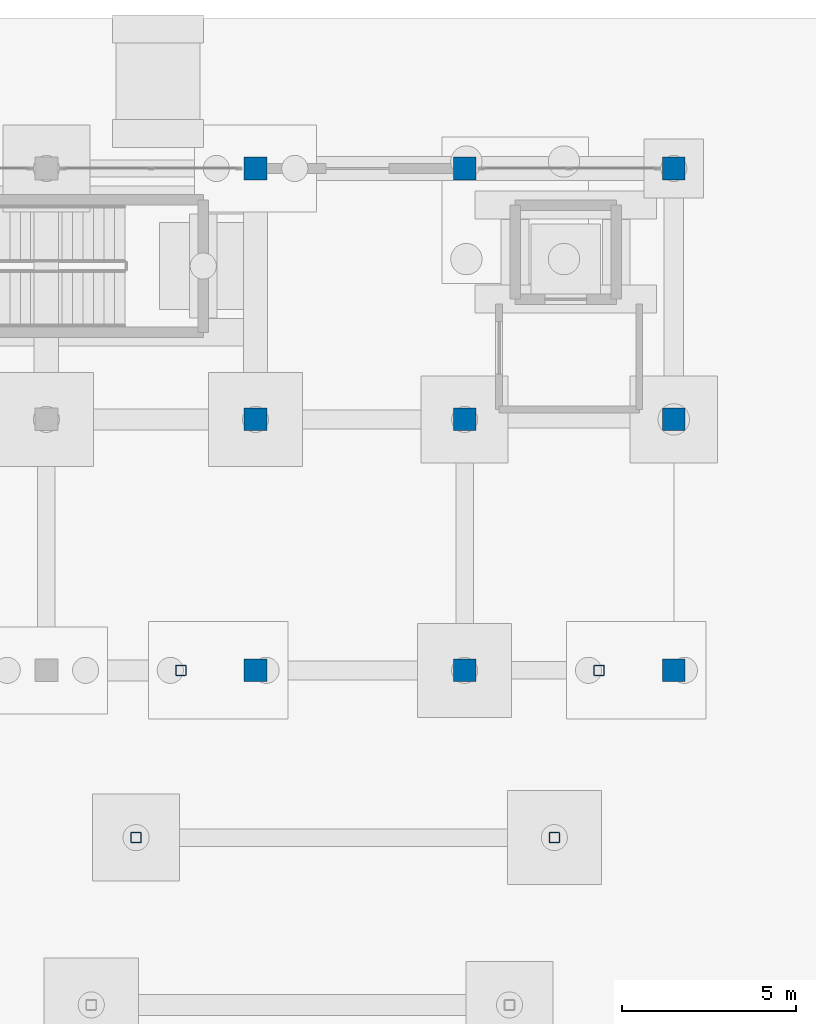
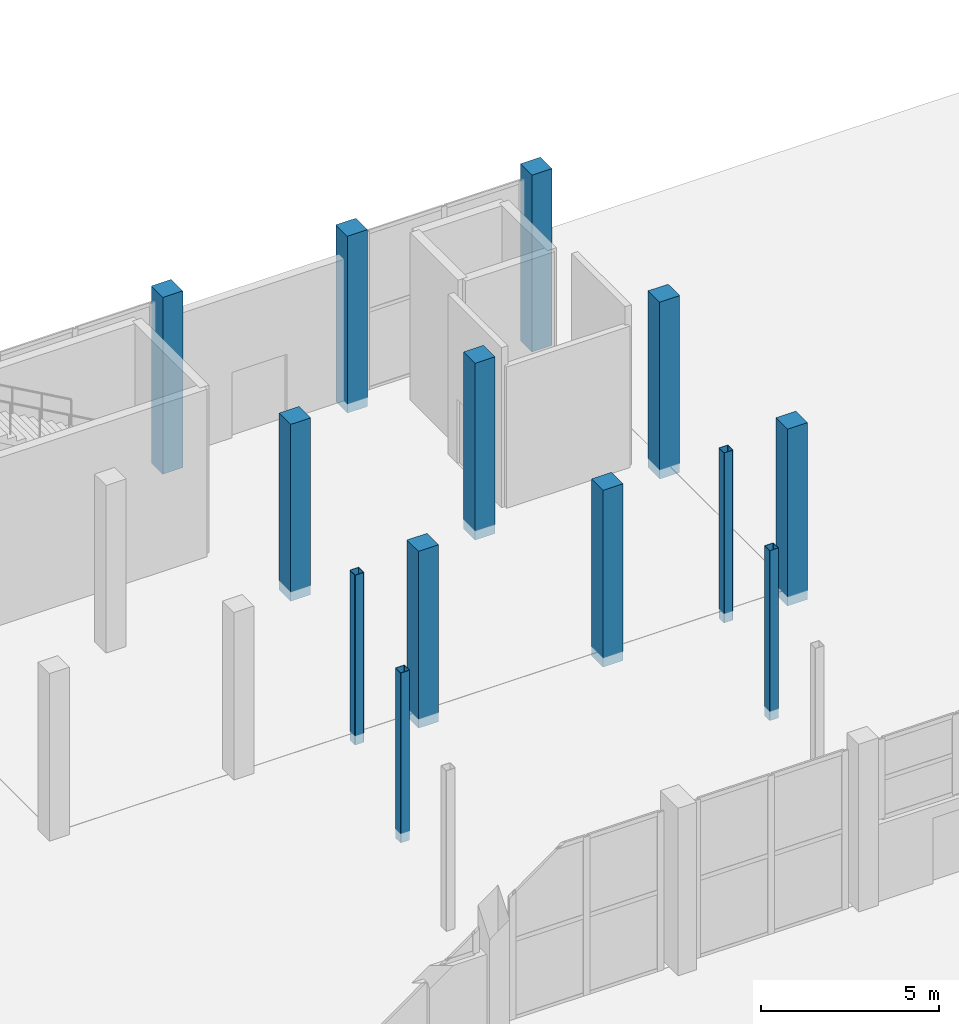
# One storey, part 35 of 103: 13 columns.
"""IFC4 building model written with IfcOpenShell, lengths in metres."""

from ifc_helpers import new_model, si_unit, direction, frame, origin, origin_2d, place, context, subcontext, project, spatial, rectangle, hollow_rectangle, extrude, material, material_profile, profile_set, type_object, element, save


model = new_model("IFC4")

# Units and contexts
model_context = context("Model", 3, precision=1e-05, world=origin(), true_north=direction((0.0, 1.0)))
body_context = subcontext(model_context, "Body", "Model", "MODEL_VIEW")
ifc_project = project(units=[si_unit("LENGTHUNIT", "METRE"), si_unit("AREAUNIT", "SQUARE_METRE"), si_unit("VOLUMEUNIT", "CUBIC_METRE"), si_unit("PLANEANGLEUNIT", "RADIAN"), si_unit("MASSUNIT", "GRAM", prefix="KILO")], contexts=[model_context])

# Site, building, storey
site_placement = place(None, origin())
site = spatial("IfcSite", under=ifc_project, at=site_placement, CompositionType="ELEMENT")
building_placement = place(site_placement, origin())
building = spatial("IfcBuilding", under=site, at=building_placement, Name="Dunvalen Ferry Terminal", CompositionType="ELEMENT")
storey_placement = place(building_placement, origin())
storey = spatial("IfcBuildingStorey", under=building, at=storey_placement, Name="L00", CompositionType="ELEMENT", Elevation=0.0)

# Columns
ifc_material_1 = material(Name="Concrete C40/50", Category="concrete")
ifc_material_profile_1 = material_profile(ifc_material_1, rectangle(XDim=0.64990234375, YDim=0.64990234375, at=origin_2d()), Name="Concrete C40/50")
ifc_profile_set_1 = profile_set([ifc_material_profile_1], Name="Concrete C40/50")
column_type_1 = type_object("IfcColumnType", Name="STR-COL-RC650", PredefinedType="COLUMN", material=ifc_profile_set_1)
for number, where, z_axis, x_axis, name in (
    (1, (132.0, 100.800048828125, -0.320068359375), (0.0, 0.0, 1.0), (1.0, 0.0, 0.0), "L00 Berth Pavilion 2 Column 07"),
    (2, (132.0, 108.0, -0.320068359375), (0.0, 0.0, 1.0), (1.0, 0.0, 0.0), "L00 Berth Pavilion 2 Column 08"),
    (3, (132.0, 115.199951171875, -0.320068359375), (0.0, 0.0, 1.0), (1.0, 0.0, 0.0), "L00 Berth Pavilion 2 Column 09"),
    (4, (138.0, 100.800048828125, -0.320068359375), (0.0, 0.0, 1.0), (1.0, 0.0, 0.0), "L00 Berth Pavilion 2 Column 10"),
    (5, (138.0, 108.0, -0.320068359375), (0.0, 0.0, 1.0), (1.0, 0.0, 0.0), "L00 Berth Pavilion 2 Column 11"),
    (6, (138.0, 115.199951171875, -0.320068359375), (0.0, 0.0, 1.0), (1.0, 0.0, 0.0), "L00 Berth Pavilion 2 Column 12"),
    (7, (144.0, 100.800048828125, -0.320068359375), (0.0, 0.0, 1.0), (1.0, 0.0, 0.0), "L00 Berth Pavilion 2 Column 13"),
    (8, (144.0, 108.0, -0.320068359375), (0.0, 0.0, 1.0), (1.0, 0.0, 0.0), "L00 Berth Pavilion 2 Column 14"),
    (9, (144.0, 115.199951171875, -0.320068359375), (0.0, 0.0, 1.0), (1.0, 0.0, 0.0), "L00 Berth Pavilion 2 Column 15"),
):
    element("IfcColumn", number, at=place(storey_placement, frame(where, z_axis=z_axis, x_axis=x_axis)), inside=storey, type_object=column_type_1, Name=name, PredefinedType="COLUMN", context=body_context, shape_type="SweptSolid", body=[
        extrude(rectangle(XDim=0.64990234375, YDim=0.64990234375, at=origin_2d()), origin(), (0.0, 0.0, 1.0), 6.080078125),
    ])
ifc_material_2 = material(Name="Steel S355", Category="steel")
ifc_material_profile_2 = material_profile(ifc_material_2, hollow_rectangle(XDim=0.300048828125, YDim=0.300048828125, WallThickness=0.012451171875, InnerFilletRadius=0.012451171875, OuterFilletRadius=0.02490234375, at=origin_2d()), Name="Steel S355")
ifc_profile_set_2 = profile_set([ifc_material_profile_2], Name="Steel S355")
column_type_2 = type_object("IfcColumnType", Name="STR-COL-SHS300", PredefinedType="COLUMN", material=ifc_profile_set_2)
for number, where, z_axis, x_axis, name in (
    (10, (128.572265625, 96.0, -0.320068359375), (0.0, 0.0, 1.0), (1.0, 0.0, 0.0), "L00 Boarding Bridge 2 Marine Pier 1.4"),
    (11, (129.8583984375, 100.800048828125, -0.320068359375), (0.0, 0.0, 1.0), (1.0, 0.0, 0.0), "L00 Boarding Bridge 2 Marine Pier 1.6"),
    (12, (140.572265625, 96.0, -0.320068359375), (0.0, 0.0, 1.0), (1.0, 0.0, 0.0), "L00 Boarding Bridge 2 Marine Pier 2.4"),
    (13, (141.8583984375, 100.800048828125, -0.320068359375), (0.0, 0.0, 1.0), (1.0, 0.0, 0.0), "L00 Boarding Bridge 2 Marine Pier 2.6"),
):
    element("IfcColumn", number, at=place(storey_placement, frame(where, z_axis=z_axis, x_axis=x_axis)), inside=storey, type_object=column_type_2, Name=name, PredefinedType="COLUMN", context=body_context, shape_type="SweptSolid", body=[
        extrude(hollow_rectangle(XDim=0.300048828125, YDim=0.300048828125, WallThickness=0.012451171875, InnerFilletRadius=0.012451171875, OuterFilletRadius=0.02490234375, at=origin_2d()), origin(), (0.0, 0.0, 1.0), 5.840087890625),
    ])

save(model, "model.ifc")
